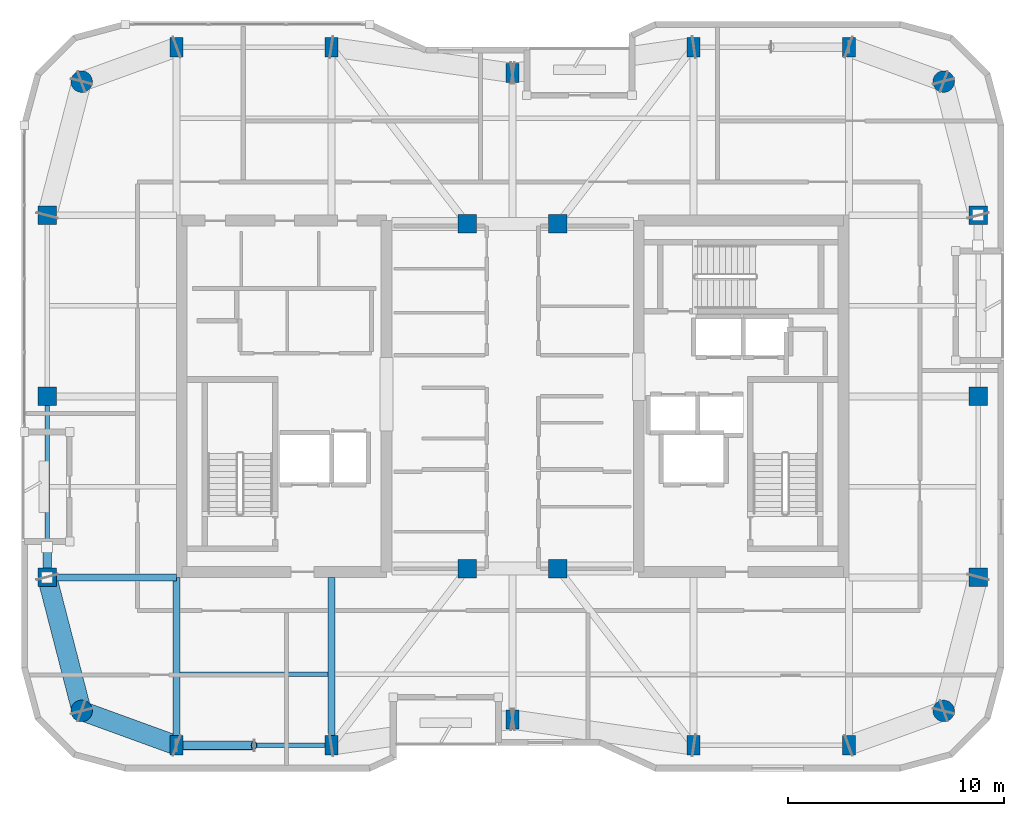
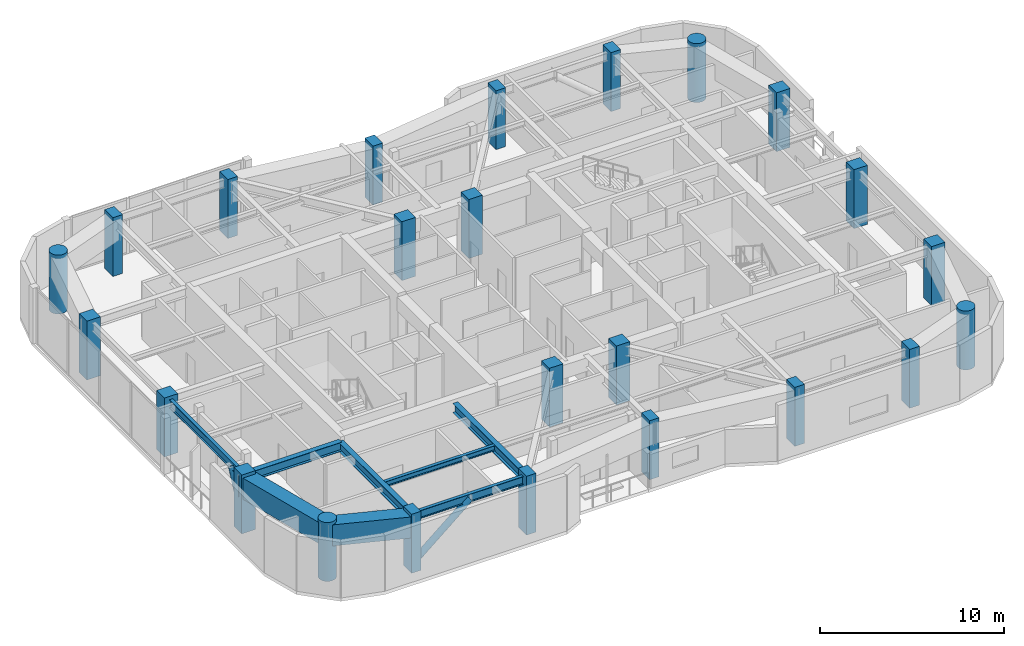
# One storey, part 1 of 16: 24 columns, 8 beams, 2 members.
"""IFC4 building model written with IfcOpenShell, lengths in metres."""

from ifc_helpers import new_model, si_unit, direction, frame, origin, origin_2d, place, context, subcontext, project, spatial, rectangle, hollow_rectangle, circle, hollow_circle, i_section, extrude, material, material_profile, profile_set, type_object, element, save


model = new_model("IFC4")

# Units and contexts
model_context = context("Model", 3, precision=1e-05, world=origin(), true_north=direction((0.0, 1.0)))
body_context = subcontext(model_context, "Body", "Model", "MODEL_VIEW")
ifc_project = project(units=[si_unit("LENGTHUNIT", "METRE"), si_unit("AREAUNIT", "SQUARE_METRE"), si_unit("VOLUMEUNIT", "CUBIC_METRE"), si_unit("PLANEANGLEUNIT", "RADIAN"), si_unit("MASSUNIT", "GRAM", prefix="KILO")], contexts=[model_context])

# Site, building, storey
site_placement = place(None, origin())
site = spatial("IfcSite", under=ifc_project, at=site_placement, CompositionType="ELEMENT")
building_placement = place(site_placement, origin())
building = spatial("IfcBuilding", under=site, at=building_placement, Name="Kiyonajd Concourse Tower", CompositionType="ELEMENT")
storey_placement = place(building_placement, frame((0.0, 0.0, 333.60009765625)))
storey = spatial("IfcBuildingStorey", under=building, at=storey_placement, Name="L84", CompositionType="ELEMENT", Elevation=333.60009765625)

# Columns
ifc_material_1 = material(Name="Concrete C60/75", Category="concrete")
ifc_material_profile_1 = material_profile(ifc_material_1, rectangle(XDim=0.60009765625, YDim=0.89990234375, at=origin_2d()), Name="RC-900x600")
ifc_profile_set_1 = profile_set([ifc_material_profile_1], Name="Concrete C60/75")
column_type_1 = type_object("IfcColumnType", Name="CL-BLADE-900", PredefinedType="COLUMN", material=ifc_profile_set_1)
for number, where, z_axis, x_axis, name in (
    (1, (32.39990234375, 19.800048828125, 0.0), (0.0, 0.0, 1.0), (1.0, 0.0, 0.0), "L84 Perimeter Bundled Tube Column"),
    (2, (32.39990234375, 52.199951171875, 0.0), (0.0, 0.0, 1.0), (1.0, 0.0, 0.0), "L84 Perimeter Bundled Tube Column"),
    (3, (39.60009765625, 19.800048828125, 0.0), (0.0, 0.0, 1.0), (1.0, 0.0, 0.0), "L84 Perimeter Bundled Tube Column"),
    (4, (39.60009765625, 52.199951171875, 0.0), (0.0, 0.0, 1.0), (1.0, 0.0, 0.0), "L84 Perimeter Bundled Tube Column"),
    (5, (48.0, 21.0, 0.0), (0.0, 0.0, 1.0), (1.0, 0.0, 0.0), "L84 Perimeter Bundled Tube Column"),
    (6, (48.0, 51.0, 0.0), (0.0, 0.0, 1.0), (1.0, 0.0, 0.0), "L84 Perimeter Bundled Tube Column"),
    (7, (56.39990234375, 19.800048828125, 0.0), (0.0, 0.0, 1.0), (1.0, 0.0, 0.0), "L84 Perimeter Bundled Tube Column"),
    (8, (56.39990234375, 52.199951171875, 0.0), (0.0, 0.0, 1.0), (1.0, 0.0, 0.0), "L84 Perimeter Bundled Tube Column"),
    (9, (63.60009765625, 19.800048828125, 0.0), (0.0, 0.0, 1.0), (1.0, 0.0, 0.0), "L84 Perimeter Bundled Tube Column"),
    (10, (63.60009765625, 52.199951171875, 0.0), (0.0, 0.0, 1.0), (1.0, 0.0, 0.0), "L84 Perimeter Bundled Tube Column"),
):
    element("IfcColumn", number, at=place(storey_placement, frame(where, z_axis=z_axis, x_axis=x_axis)), inside=storey, type_object=column_type_1, Name=name, PredefinedType="COLUMN", context=body_context, shape_type="SweptSolid", body=[
        extrude(rectangle(XDim=0.60009765625, YDim=0.89990234375, at=origin_2d()), origin(), (0.0, 0.0, 1.0), 3.89990234375),
    ])
ifc_material_profile_2 = material_profile(ifc_material_1, circle(Radius=0.5, at=origin_2d()), Name="RCC-D1000")
ifc_profile_set_2 = profile_set([ifc_material_profile_2], Name="Concrete C60/75")
column_type_2 = type_object("IfcColumnType", Name="CL-RND-1000", PredefinedType="COLUMN", material=ifc_profile_set_2)
for number, where, z_axis, x_axis, name in (
    (11, (28.0, 21.39990234375, 0.0), (0.0, 0.0, 1.0), (1.0, 0.0, 0.0), "L84 Bundled Tube Corner Column South West"),
    (12, (68.0, 21.39990234375, 0.0), (0.0, 0.0, 1.0), (1.0, 0.0, 0.0), "L84 Bundled Tube Corner Column South East"),
    (13, (68.0, 50.60009765625, 0.0), (0.0, 0.0, 1.0), (1.0, 0.0, 0.0), "L84 Bundled Tube Corner Column North East"),
    (14, (28.0, 50.60009765625, 0.0), (0.0, 0.0, 1.0), (1.0, 0.0, 0.0), "L84 Bundled Tube Corner Column North West"),
):
    element("IfcColumn", number, at=place(storey_placement, frame(where, z_axis=z_axis, x_axis=x_axis)), inside=storey, type_object=column_type_2, Name=name, PredefinedType="COLUMN", context=body_context, shape_type="SweptSolid", body=[
        extrude(circle(Radius=0.5, at=origin_2d()), origin(), (0.0, 0.0, 1.0), 3.89990234375),
    ])
ifc_material_profile_3 = material_profile(ifc_material_1, rectangle(XDim=0.85009765625, YDim=0.85009765625, at=origin_2d()), Name="RC-850x850")
ifc_profile_set_3 = profile_set([ifc_material_profile_3], Name="Concrete C60/75")
column_type_3 = type_object("IfcColumnType", Name="CL-TUBE-850", PredefinedType="COLUMN", material=ifc_profile_set_3)
for number, where, z_axis, x_axis, name in (
    (15, (26.39990234375, 27.60009765625, 0.0), (0.0, 0.0, 1.0), (1.0, 0.0, 0.0), "L84 Perimeter Bundled Tube Column"),
    (16, (69.60009765625, 27.60009765625, 0.0), (0.0, 0.0, 1.0), (1.0, 0.0, 0.0), "L84 Perimeter Bundled Tube Column"),
    (17, (26.39990234375, 36.0, 0.0), (0.0, 0.0, 1.0), (1.0, 0.0, 0.0), "L84 Perimeter Bundled Tube Column"),
    (18, (69.60009765625, 36.0, 0.0), (0.0, 0.0, 1.0), (1.0, 0.0, 0.0), "L84 Perimeter Bundled Tube Column"),
    (19, (26.39990234375, 44.39990234375, 0.0), (0.0, 0.0, 1.0), (1.0, 0.0, 0.0), "L84 Perimeter Bundled Tube Column"),
    (20, (69.60009765625, 44.39990234375, 0.0), (0.0, 0.0, 1.0), (1.0, 0.0, 0.0), "L84 Perimeter Bundled Tube Column"),
    (21, (45.89990234375, 28.0, 0.0), (0.0, 0.0, 1.0), (1.0, 0.0, 0.0), "L84 Core Tie Column South West"),
    (22, (50.10009765625, 28.0, 0.0), (0.0, 0.0, 1.0), (1.0, 0.0, 0.0), "L84 Core Tie Column South East"),
    (23, (45.89990234375, 44.0, 0.0), (0.0, 0.0, 1.0), (1.0, 0.0, 0.0), "L84 Core Tie Column North West"),
    (24, (50.10009765625, 44.0, 0.0), (0.0, 0.0, 1.0), (1.0, 0.0, 0.0), "L84 Core Tie Column North East"),
):
    element("IfcColumn", number, at=place(storey_placement, frame(where, z_axis=z_axis, x_axis=x_axis)), inside=storey, type_object=column_type_3, Name=name, PredefinedType="COLUMN", context=body_context, shape_type="SweptSolid", body=[
        extrude(rectangle(XDim=0.85009765625, YDim=0.85009765625, at=origin_2d()), origin(), (0.0, 0.0, 1.0), 3.89990234375),
    ])

# Beams
ifc_material_2 = material(Name="Steel ASTM A992 Grade 50", Category="steel")
ifc_material_profile_4 = material_profile(ifc_material_2, i_section(OverallWidth=0.205078125, OverallDepth=0.35400390625, WebThickness=0.009521484375, FlangeThickness=0.016845703125, at=origin_2d()), Name="W360X79")
ifc_profile_set_4 = profile_set([ifc_material_profile_4], Name="Steel ASTM A992 Grade 50")
beam_type_1 = type_object("IfcBeamType", Name="BM-JST-360", PredefinedType="JOIST", material=ifc_profile_set_4)
beam_1_placement = place(storey_placement, frame((32.56201171875, 23.10009765625, 3.5029296875), z_axis=(1.0, 0.0, 0.0), x_axis=(0.0, 1.0, 0.0)))
element("IfcBeam", 25, at=beam_1_placement, inside=storey, type_object=beam_type_1, Name="L84 Secondary Floor Joist", PredefinedType="JOIST", context=body_context, shape_type="SweptSolid", body=[
    extrude(i_section(OverallWidth=0.205078125, OverallDepth=0.35400390625, WebThickness=0.009521484375, FlangeThickness=0.016845703125, at=origin_2d()), origin(), (0.0, 0.0, 1.0), 6.8759765625),
])
ifc_material_profile_5 = material_profile(ifc_material_2, i_section(OverallWidth=0.2109375, OverallDepth=0.5390625, WebThickness=0.01171875, FlangeThickness=0.018798828125, at=origin_2d()), Name="W530X109")
ifc_profile_set_5 = profile_set([ifc_material_profile_5], Name="Steel ASTM A992 Grade 50")
beam_type_2 = type_object("IfcBeamType", Name="BM-SPAN-530B", PredefinedType="SPANDREL", material=ifc_profile_set_5)
beam_2_placement = place(storey_placement, frame((32.39990234375, 19.800048828125, 3.410400390625), z_axis=(1.0, 0.0, 0.0), x_axis=(0.0, 1.0, 0.0)))
element("IfcBeam", 26, at=beam_2_placement, inside=storey, type_object=beam_type_2, Name="L84 Perimeter Bundled Tube Spandrel", PredefinedType="SPANDREL", context=body_context, shape_type="SweptSolid", body=[
    extrude(i_section(OverallWidth=0.2109375, OverallDepth=0.5390625, WebThickness=0.01171875, FlangeThickness=0.018798828125, at=origin_2d()), origin(), (0.0, 0.0, 1.0), 7.2001953125),
])
beam_3_placement = place(storey_placement, frame((26.39990234375, 36.0, 3.410400390625), z_axis=(0.0, -1.0, 0.0), x_axis=(1.0, 0.0, 0.0)))
element("IfcBeam", 27, at=beam_3_placement, inside=storey, type_object=beam_type_2, Name="L84 Perimeter Bundled Tube Spandrel", PredefinedType="SPANDREL", context=body_context, shape_type="SweptSolid", body=[
    extrude(i_section(OverallWidth=0.2109375, OverallDepth=0.5390625, WebThickness=0.01171875, FlangeThickness=0.018798828125, at=origin_2d()), origin(), (0.0, 0.0, 1.0), 8.39990234375),
])
ifc_material_profile_6 = material_profile(ifc_material_2, i_section(OverallWidth=0.323974609375, OverallDepth=0.611083984375, WebThickness=0.0126953125, FlangeThickness=0.01904296875, at=origin_2d()), Name="W610X155")
ifc_profile_set_6 = profile_set([ifc_material_profile_6], Name="Steel ASTM A992 Grade 50")
beam_type_3 = type_object("IfcBeamType", Name="BM-TWR-610B", PredefinedType="BEAM", material=ifc_profile_set_6)
for number, where, z_axis, x_axis, name in (
    (28, (32.39990234375, 19.800048828125, 3.37451171875), (0.0, 1.0, 0.0), (-1.0, 0.0, 0.0), "L84 South Lease Girder"),
    (29, (39.60009765625, 19.800048828125, 3.37451171875), (0.0, 1.0, 0.0), (-1.0, 0.0, 0.0), "L84 South Lease Girder"),
):
    element("IfcBeam", number, at=place(storey_placement, frame(where, z_axis=z_axis, x_axis=x_axis)), inside=storey, type_object=beam_type_3, Name=name, PredefinedType="BEAM", context=body_context, shape_type="SweptSolid", body=[
        extrude(i_section(OverallWidth=0.323974609375, OverallDepth=0.611083984375, WebThickness=0.0126953125, FlangeThickness=0.01904296875, at=origin_2d()), origin(), (0.0, 0.0, 1.0), 7.800048828125),
    ])
beam_4_placement = place(storey_placement, frame((26.39990234375, 27.60009765625, 3.37451171875), z_axis=(1.0, 0.0, 0.0), x_axis=(0.0, 1.0, 0.0)))
element("IfcBeam", 30, at=beam_4_placement, inside=storey, type_object=beam_type_3, Name="L84 West Lease Girder", PredefinedType="BEAM", context=body_context, shape_type="SweptSolid", body=[
    extrude(i_section(OverallWidth=0.323974609375, OverallDepth=0.611083984375, WebThickness=0.0126953125, FlangeThickness=0.01904296875, at=origin_2d()), origin(), (0.0, 0.0, 1.0), 6.0),
])
ifc_material_3 = material(Name="Steel ASTM A572 Grade 50", Category="steel")
ifc_material_profile_7 = material_profile(ifc_material_3, hollow_rectangle(XDim=0.89990234375, YDim=1.39990234375, WallThickness=0.070068359375, at=origin_2d()), Name="BOX-1400x900x70")
ifc_profile_set_7 = profile_set([ifc_material_profile_7], Name="Steel ASTM A572 Grade 50")
beam_type_4 = type_object("IfcBeamType", Name="BM-XFER-1400", PredefinedType="BEAM", material=ifc_profile_set_7)
beam_5_placement = place(storey_placement, frame((26.39990234375, 27.60009765625, 2.97998046875), z_axis=(0.249884937687, -0.968275538221, 0.0), x_axis=(0.968275538221, 0.249884937687, 0.0)))
element("IfcBeam", 31, at=beam_5_placement, inside=storey, type_object=beam_type_4, Name="L84 Perimeter Bundled Tube Spandrel", PredefinedType="BEAM", context=body_context, shape_type="SweptSolid", body=[
    extrude(hollow_rectangle(XDim=0.89990234375, YDim=1.39990234375, WallThickness=0.070068359375, at=origin_2d()), origin(), (0.0, 0.0, 1.0), 6.4033203125),
])
beam_6_placement = place(storey_placement, frame((28.0, 21.39990234375, 2.97998046875), z_axis=(0.939801036019, -0.341722127901, 0.0), x_axis=(0.341722127901, 0.939801036019, 0.0)))
element("IfcBeam", 32, at=beam_6_placement, inside=storey, type_object=beam_type_4, Name="L84 Perimeter Bundled Tube Spandrel", PredefinedType="BEAM", context=body_context, shape_type="SweptSolid", body=[
    extrude(hollow_rectangle(XDim=0.89990234375, YDim=1.39990234375, WallThickness=0.070068359375, at=origin_2d()), origin(), (0.0, 0.0, 1.0), 4.681640625),
])

# Members
ifc_material_4 = material(Name="Steel ASTM A500 Grade C", Category="steel")
ifc_material_profile_8 = material_profile(ifc_material_4, hollow_circle(Radius=0.202880859375, WallThickness=0.01904296875, at=origin_2d()), Name="CHS-406x19")
ifc_profile_set_8 = profile_set([ifc_material_profile_8], Name="Steel ASTM A500 Grade C")
member_type = type_object("IfcMemberType", Name="MB-PB-HIGH", PredefinedType="BRACE", material=ifc_profile_set_8)
member_1_placement = place(storey_placement, frame((32.39990234375, 19.800048828125, 0.2998046875), z_axis=(0.765082043761, 0.0, 0.643932811957), x_axis=(0.0, 1.0, 0.0)))
element("IfcMember", 33, at=member_1_placement, inside=storey, type_object=member_type, Name="L84 Upper Zone Hollow Tube Brace PBS", PredefinedType="BRACE", context=body_context, shape_type="SweptSolid", body=[
    extrude(hollow_circle(Radius=0.202880859375, WallThickness=0.01904296875, at=origin_2d()), origin(), (0.0, 0.0, 1.0), 4.70556640625),
])
member_2_placement = place(storey_placement, frame((26.39990234375, 27.60009765625, 0.2998046875), z_axis=(0.0, 0.419410666774, 0.907796614114), x_axis=(-1.0, 0.0, 0.0)))
element("IfcMember", 34, at=member_2_placement, inside=storey, type_object=member_type, Name="L84 Upper Zone Hollow Tube Brace PBW", PredefinedType="BRACE", context=body_context, shape_type="SweptSolid", body=[
    extrude(hollow_circle(Radius=0.202880859375, WallThickness=0.01904296875, at=origin_2d()), origin(), (0.0, 0.0, 1.0), 3.337890625),
])

save(model, "model.ifc")
